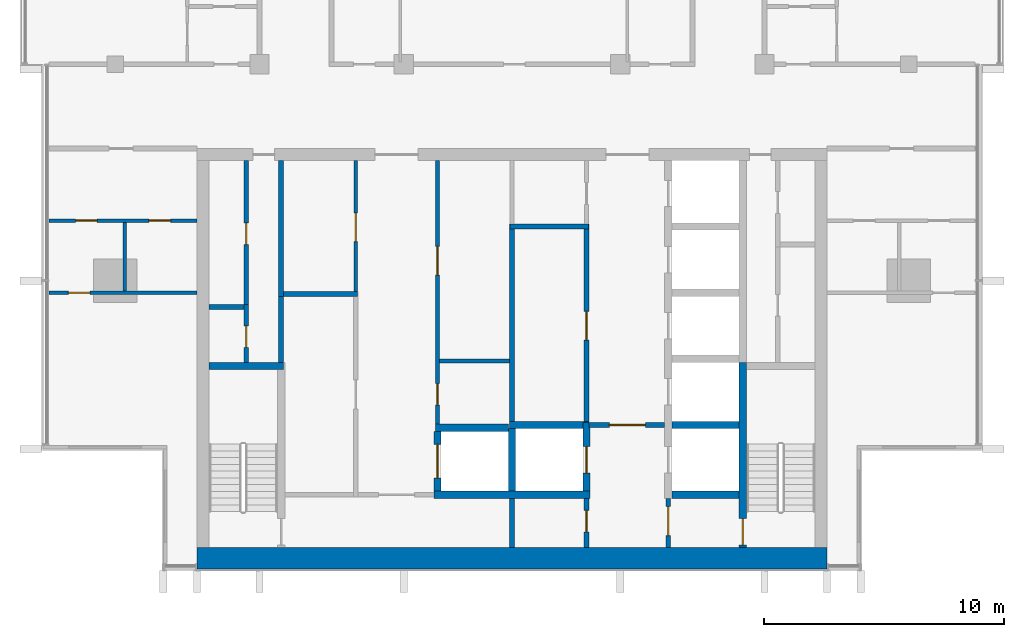
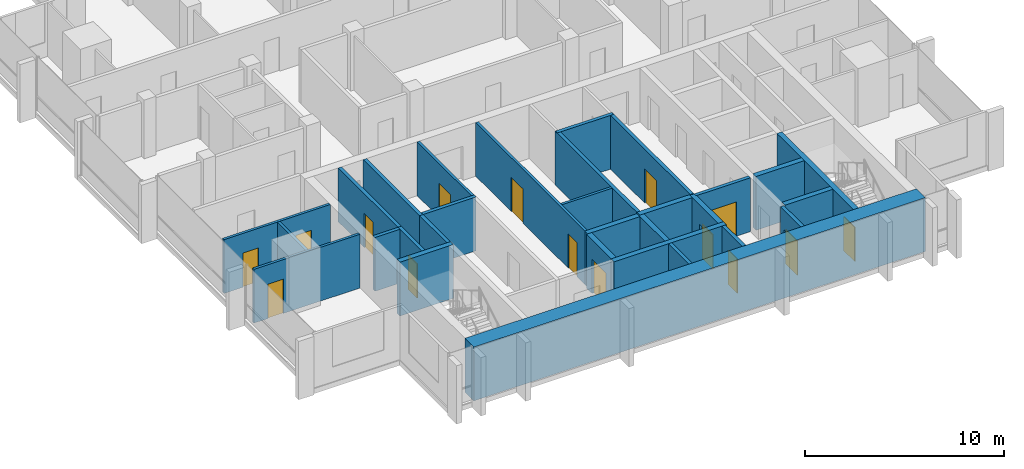
# One storey, part 7 of 15: 30 walls, 15 doors, 15 openings.
"""IFC4 building model written with IfcOpenShell, lengths in metres."""

from ifc_helpers import new_model, si_unit, direction, frame, frame_2d, origin, place, context, subcontext, project, spatial, rectangle, extrude, material, layer, layer_set, type_object, element, fill, save


model = new_model("IFC4")

# Units and contexts
model_context = context("Model", 3, precision=1e-05, world=origin(), true_north=direction((0.0, 1.0)))
body_context = subcontext(model_context, "Body", "Model", "MODEL_VIEW")
ifc_project = project(units=[si_unit("LENGTHUNIT", "METRE"), si_unit("AREAUNIT", "SQUARE_METRE"), si_unit("VOLUMEUNIT", "CUBIC_METRE"), si_unit("PLANEANGLEUNIT", "RADIAN"), si_unit("MASSUNIT", "GRAM", prefix="KILO")], contexts=[model_context])

# Site, building, storey
site_placement = place(None, origin())
site = spatial("IfcSite", under=ifc_project, at=site_placement, CompositionType="ELEMENT")
building_placement = place(site_placement, origin())
building = spatial("IfcBuilding", under=site, at=building_placement, Name="Finial Court Residences", CompositionType="ELEMENT")
storey_placement = place(building_placement, frame((0.0, 0.0, 273.5)))
storey = spatial("IfcBuildingStorey", under=building, at=storey_placement, Name="L69", CompositionType="ELEMENT", Elevation=273.5)

# Wall
ifc_material_1 = material(Name="Fire-rated gypsum board partition")
ifc_layer_1 = layer(ifc_material_1, 0.14990234375)
ifc_layer_set_1 = layer_set([ifc_layer_1], Name="Core room partition 150 EI 60")
wall_type_1 = type_object("IfcWallType", Name="Core room partition 150 EI 60", PredefinedType="PARTITIONING", material=ifc_layer_set_1)
wall_1_placement = place(storey_placement, frame((-3.02490234375, -16.840087890625, 0.0), z_axis=(0.0, 0.0, 1.0), x_axis=(1.0, 0.0, 0.0)))
element("IfcWall", 1, at=wall_1_placement, inside=storey, type_object=wall_type_1, Name="Core partition L69-11", PredefinedType="PARTITIONING", context=body_context, shape_type="SweptSolid", body=[
    extrude(rectangle(XDim=2.9248046875, YDim=0.14990234375, at=frame_2d((1.46240234375, 0.0))), origin(), (0.0, 0.0, 1.0), 3.300048828125),
])

# Wall, opening, door
wall_2_placement = place(storey_placement, frame((-6.5, -13.9599609375, 0.0), z_axis=(0.0, 0.0, 1.0), x_axis=(0.0, 1.0, 0.0)))
wall_2 = element("IfcWall", 2, at=wall_2_placement, inside=storey, type_object=wall_type_1, Name="Core partition L69-25", PredefinedType="PARTITIONING", context=body_context, shape_type="SweptSolid", body=[
    extrude(rectangle(XDim=5.4599609375, YDim=0.14990234375, at=frame_2d((2.72998046875, 0.0))), origin(), (0.0, 0.0, 1.0), 3.300048828125),
])
opening_1_placement = place(wall_2_placement, frame((2.080078125, 0.0, 0.0)))
opening_1 = element("IfcOpeningElement", 3, at=opening_1_placement, cuts=wall_2, Name="Opening L69-C15", PredefinedType="OPENING", context=body_context, shape_type="SweptSolid", body=[
    extrude(rectangle(XDim=1.199951171875, YDim=2.10009765625, at=frame_2d((0.60009765625, 1.050048828125))), frame((0.0, 0.0849609375, 0.0), z_axis=(0.0, -1.0, 0.0), x_axis=(1.0, 0.0, 0.0)), (0.0, 0.0, 1.0), 0.169921875),
])
ifc_material_2 = material(Name="Steel fire door", Category="steel")
door_type_1 = type_object("IfcDoorType", Name="Core room door 1200 x 2100 EI 60", OperationType="NOTDEFINED", PredefinedType="DOOR", material=ifc_material_2)
door_1_placement = place(opening_1_placement, origin())
door_1 = element("IfcDoor", 4, at=door_1_placement, inside=storey, type_object=door_type_1, Name="Core room door L69-C15", OperationType="SINGLE_SWING_RIGHT", OverallHeight=2.10009765625, OverallWidth=1.199951171875, PredefinedType="DOOR", context=body_context, shape_type="SweptSolid", body=[
    extrude(rectangle(XDim=1.199951171875, YDim=2.10009765625, at=frame_2d((0.60009765625, 1.050048828125))), frame((0.0, 0.02490234375, 0.0), z_axis=(0.0, -1.0, 0.0), x_axis=(1.0, 0.0, 0.0)), (0.0, 0.0, 1.0), 0.050048828125),
])
fill(opening_1, door_1)

# Wall, openings, doors
wall_3_placement = place(storey_placement, frame((-3.10009765625, -8.5, 0.0), z_axis=(0.0, 0.0, 1.0), x_axis=(0.0, -1.0, 0.0)))
wall_3 = element("IfcWall", 5, at=wall_3_placement, inside=storey, type_object=wall_type_1, Name="Core partition L69-27", PredefinedType="PARTITIONING", context=body_context, shape_type="SweptSolid", body=[
    extrude(rectangle(XDim=10.969970703125, YDim=0.14990234375, at=frame_2d((5.48486328125, 0.0))), origin(), (0.0, 0.0, 1.0), 3.300048828125),
])
opening_2_placement = place(wall_3_placement, frame((9.280029296875, 0.0, 0.0)))
opening_2 = element("IfcOpeningElement", 6, at=opening_2_placement, cuts=wall_3, Name="Opening L69-C16", PredefinedType="OPENING", context=body_context, shape_type="SweptSolid", body=[
    extrude(rectangle(XDim=0.89990234375, YDim=2.10009765625, at=frame_2d((0.449951171875, 1.050048828125))), frame((0.0, 0.0849609375, 0.0), z_axis=(0.0, -1.0, 0.0), x_axis=(1.0, 0.0, 0.0)), (0.0, 0.0, 1.0), 0.169921875),
])
opening_3_placement = place(wall_3_placement, frame((3.570068359375, 0.0, 0.0)))
opening_3 = element("IfcOpeningElement", 7, at=opening_3_placement, cuts=wall_3, Name="Opening L69-C17", PredefinedType="OPENING", context=body_context, shape_type="SweptSolid", body=[
    extrude(rectangle(XDim=1.199951171875, YDim=2.10009765625, at=frame_2d((0.60009765625, 1.050048828125))), frame((0.0, 0.0849609375, 0.0), z_axis=(0.0, -1.0, 0.0), x_axis=(1.0, 0.0, 0.0)), (0.0, 0.0, 1.0), 0.169921875),
])
door_2_placement = place(opening_3_placement, origin())
door_2 = element("IfcDoor", 8, at=door_2_placement, inside=storey, type_object=door_type_1, Name="Core room door L69-C17", OperationType="SINGLE_SWING_RIGHT", OverallHeight=2.10009765625, OverallWidth=1.199951171875, PredefinedType="DOOR", context=body_context, shape_type="SweptSolid", body=[
    extrude(rectangle(XDim=1.199951171875, YDim=2.10009765625, at=frame_2d((0.60009765625, 1.050048828125))), frame((0.0, 0.02490234375, 0.0), z_axis=(0.0, -1.0, 0.0), x_axis=(1.0, 0.0, 0.0)), (0.0, 0.0, 1.0), 0.050048828125),
])
fill(opening_3, door_2)
door_type_2 = type_object("IfcDoorType", Name="Core room door 900 x 2100 EI 60", OperationType="NOTDEFINED", PredefinedType="DOOR", material=ifc_material_2)
door_3_placement = place(opening_2_placement, origin())
door_3 = element("IfcDoor", 9, at=door_3_placement, inside=storey, type_object=door_type_2, Name="Core room door L69-C16", OperationType="SINGLE_SWING_RIGHT", OverallHeight=2.10009765625, OverallWidth=0.89990234375, PredefinedType="DOOR", context=body_context, shape_type="SweptSolid", body=[
    extrude(rectangle(XDim=0.89990234375, YDim=2.10009765625, at=frame_2d((0.449951171875, 1.050048828125))), frame((0.0, 0.02490234375, 0.0), z_axis=(0.0, -1.0, 0.0), x_axis=(1.0, 0.0, 0.0)), (0.0, 0.0, 1.0), 0.050048828125),
])
fill(opening_2, door_3)

# Wall
ifc_material_3 = material(Name="Concrete C50/60", Category="concrete")
ifc_layer_2 = layer(ifc_material_3, 0.89990234375)
ifc_layer_set_2 = layer_set([ifc_layer_2], Name="Core south facade wall 900 Concrete C50/60")
wall_type_2 = type_object("IfcWallType", Name="Core south facade wall 900 Concrete C50/60", PredefinedType="SHEAR", material=ifc_layer_set_2)
wall_4_placement = place(storey_placement, frame((-13.10009765625, -25.050048828125, 0.0), z_axis=(0.0, 0.0, 1.0), x_axis=(1.0, 0.0, 0.0)))
element("IfcWall", 10, at=wall_4_placement, inside=storey, type_object=wall_type_2, Name="Core outer wall L69-01", PredefinedType="SHEAR", context=body_context, shape_type="SweptSolid", body=[
    extrude(rectangle(XDim=26.2001953125, YDim=0.89990234375, at=frame_2d((13.10009765625, 0.0))), origin(), (0.0, 0.0, 1.0), 3.300048828125),
])

# Wall, opening, door
ifc_layer_3 = layer(ifc_material_1, 0.199951171875)
ifc_layer_set_3 = layer_set([ifc_layer_3], Name="Firefighting lobby wall 200 EI 120")
wall_type_3 = type_object("IfcWallType", Name="Firefighting lobby wall 200 EI 120", PredefinedType="PARTITIONING", material=ifc_layer_set_3)
wall_5_placement = place(storey_placement, frame((6.35009765625, -19.5, 0.0), z_axis=(0.0, 0.0, 1.0), x_axis=(-1.0, 0.0, 0.0)))
wall_5 = element("IfcWall", 11, at=wall_5_placement, inside=storey, type_object=wall_type_3, Name="Core partition L69-07", PredefinedType="PARTITIONING", context=body_context, shape_type="SweptSolid", body=[
    extrude(rectangle(XDim=3.150146484375, YDim=0.199951171875, at=frame_2d((1.5751953125, 0.0))), origin(), (0.0, 0.0, 1.0), 3.300048828125),
])
opening_4_placement = place(wall_5_placement, frame((0.800048828125, 0.0, 0.0)))
opening_4 = element("IfcOpeningElement", 12, at=opening_4_placement, cuts=wall_5, Name="Opening L69-C02", PredefinedType="OPENING", context=body_context, shape_type="SweptSolid", body=[
    extrude(rectangle(XDim=1.5, YDim=2.10009765625, at=frame_2d((0.75, 1.050048828125))), frame((0.0, 0.10986328125, 0.0), z_axis=(0.0, -1.0, 0.0), x_axis=(1.0, 0.0, 0.0)), (0.0, 0.0, 1.0), 0.219970703125),
])
door_type_3 = type_object("IfcDoorType", Name="Firefighting lobby door 1500 x 2100 EI 90", OperationType="DOUBLE_DOOR_SINGLE_SWING", PredefinedType="DOOR", material=ifc_material_2)
door_4_placement = place(opening_4_placement, origin())
door_4 = element("IfcDoor", 13, at=door_4_placement, inside=storey, type_object=door_type_3, Name="Firefighting lobby door L69-C02", OperationType="DOUBLE_DOOR_SINGLE_SWING", OverallHeight=2.10009765625, OverallWidth=1.5, PredefinedType="DOOR", context=body_context, shape_type="SweptSolid", body=[
    extrude(rectangle(XDim=1.5, YDim=2.10009765625, at=frame_2d((0.75, 1.050048828125))), frame((0.0, 0.02490234375, 0.0), z_axis=(0.0, -1.0, 0.0), x_axis=(1.0, 0.0, 0.0)), (0.0, 0.0, 1.0), 0.050048828125),
])
fill(opening_4, door_4)

wall_6_placement = place(storey_placement, frame((3.10009765625, -24.60009765625, 0.0), z_axis=(0.0, 0.0, 1.0), x_axis=(0.0, 1.0, 0.0)))
wall_6 = element("IfcWall", 14, at=wall_6_placement, inside=storey, type_object=wall_type_3, Name="Core partition L69-32", PredefinedType="PARTITIONING", context=body_context, shape_type="SweptSolid", body=[
    extrude(rectangle(XDim=2.050048828125, YDim=0.199951171875, at=frame_2d((1.02490234375, 0.0))), origin(), (0.0, 0.0, 1.0), 3.300048828125),
])
opening_5_placement = place(wall_6_placement, frame((0.64990234375, 0.0, 0.0)))
opening_5 = element("IfcOpeningElement", 15, at=opening_5_placement, cuts=wall_6, Name="Opening L69-C06", PredefinedType="OPENING", context=body_context, shape_type="SweptSolid", body=[
    extrude(rectangle(XDim=0.89990234375, YDim=2.10009765625, at=frame_2d((0.449951171875, 1.050048828125))), frame((0.0, 0.10986328125, 0.0), z_axis=(0.0, -1.0, 0.0), x_axis=(1.0, 0.0, 0.0)), (0.0, 0.0, 1.0), 0.219970703125),
])
door_type_4 = type_object("IfcDoorType", Name="Riser room door 900 x 2100 EI 90", OperationType="NOTDEFINED", PredefinedType="DOOR", material=ifc_material_2)
door_5_placement = place(opening_5_placement, origin())
door_5 = element("IfcDoor", 16, at=door_5_placement, inside=storey, type_object=door_type_4, Name="Riser room door L69-C06", OperationType="SINGLE_SWING_LEFT", OverallHeight=2.10009765625, OverallWidth=0.89990234375, PredefinedType="DOOR", context=body_context, shape_type="SweptSolid", body=[
    extrude(rectangle(XDim=0.89990234375, YDim=2.10009765625, at=frame_2d((0.449951171875, 1.050048828125))), frame((0.0, 0.02490234375, 0.0), z_axis=(0.0, -1.0, 0.0), x_axis=(1.0, 0.0, 0.0)), (0.0, 0.0, 1.0), 0.050048828125),
])
fill(opening_5, door_5)

wall_7_placement = place(storey_placement, frame((6.5, -22.550048828125, 0.0), z_axis=(0.0, 0.0, 1.0), x_axis=(0.0, -1.0, 0.0)))
wall_7 = element("IfcWall", 17, at=wall_7_placement, inside=storey, type_object=wall_type_3, Name="Core partition L69-36", PredefinedType="PARTITIONING", context=body_context, shape_type="SweptSolid", body=[
    extrude(rectangle(XDim=2.050048828125, YDim=0.199951171875, at=frame_2d((1.02490234375, 0.0))), origin(), (0.0, 0.0, 1.0), 3.300048828125),
])
opening_6_placement = place(wall_7_placement, frame((0.35009765625, 0.0, 0.0)))
opening_6 = element("IfcOpeningElement", 18, at=opening_6_placement, cuts=wall_7, Name="Opening L69-C01", PredefinedType="OPENING", context=body_context, shape_type="SweptSolid", body=[
    extrude(rectangle(XDim=1.199951171875, YDim=2.10009765625, at=frame_2d((0.60009765625, 1.050048828125))), frame((0.0, 0.10986328125, 0.0), z_axis=(0.0, -1.0, 0.0), x_axis=(1.0, 0.0, 0.0)), (0.0, 0.0, 1.0), 0.219970703125),
])
door_type_5 = type_object("IfcDoorType", Name="Firefighting lobby door 1200 x 2100 EI 90", OperationType="NOTDEFINED", PredefinedType="DOOR", material=ifc_material_2)
door_6_placement = place(opening_6_placement, origin())
door_6 = element("IfcDoor", 19, at=door_6_placement, inside=storey, type_object=door_type_5, Name="Firefighting lobby door L69-C01", OperationType="SINGLE_SWING_RIGHT", OverallHeight=2.10009765625, OverallWidth=1.199951171875, PredefinedType="DOOR", context=body_context, shape_type="SweptSolid", body=[
    extrude(rectangle(XDim=1.199951171875, YDim=2.10009765625, at=frame_2d((0.60009765625, 1.050048828125))), frame((0.0, 0.02490234375, 0.0), z_axis=(0.0, -1.0, 0.0), x_axis=(1.0, 0.0, 0.0)), (0.0, 0.0, 1.0), 0.050048828125),
])
fill(opening_6, door_6)

ifc_material_4 = material(Name="Moisture-resistant gypsum board")
ifc_layer_4 = layer(ifc_material_4, 0.012451171875)
ifc_material_5 = material(Name="Mineral wool in light-gauge frame")
ifc_layer_5 = layer(ifc_material_5, 0.125)
ifc_layer_6 = layer(ifc_material_4, 0.012451171875)
ifc_layer_set_4 = layer_set([ifc_layer_4, ifc_layer_5, ifc_layer_6], Name="Gypsum board wet-area partition 150")
wall_type_4 = type_object("IfcWallType", Name="Gypsum board wet-area partition 150", PredefinedType="PARTITIONING", material=ifc_layer_set_4)
wall_8_placement = place(storey_placement, frame((-19.262451171875, -14.0, 0.0), z_axis=(0.0, 0.0, 1.0), x_axis=(1.0, 0.0, 0.0)))
wall_8 = element("IfcWall", 20, at=wall_8_placement, inside=storey, type_object=wall_type_4, Name="Partition L69-000", PredefinedType="PARTITIONING", context=body_context, shape_type="SweptSolid", body=[
    extrude(rectangle(XDim=6.162353515625, YDim=0.14990234375, at=frame_2d((3.0810546875, 0.0))), origin(), (0.0, 0.0, 1.0), 3.300048828125),
])
opening_7_placement = place(wall_8_placement, frame((0.81201171875, 0.0, 0.0)))
opening_7 = element("IfcOpeningElement", 21, at=opening_7_placement, cuts=wall_8, Name="Opening L69-D001", PredefinedType="OPENING", context=body_context, shape_type="SweptSolid", body=[
    extrude(rectangle(XDim=0.89990234375, YDim=2.10009765625, at=frame_2d((0.449951171875, 1.050048828125))), frame((0.0, 0.0849609375, 0.0), z_axis=(0.0, -1.0, 0.0), x_axis=(1.0, 0.0, 0.0)), (0.0, 0.0, 1.0), 0.169921875),
])
ifc_material_6 = material(Name="Timber door leaf in timber frame", Category="wood")
door_type_6 = type_object("IfcDoorType", Name="Door set 900 x 2100", OperationType="SINGLE_SWING_LEFT", PredefinedType="DOOR", material=ifc_material_6)
door_7_placement = place(opening_7_placement, origin())
door_7 = element("IfcDoor", 22, at=door_7_placement, inside=storey, type_object=door_type_6, Name="Door L69-D001", OperationType="SINGLE_SWING_LEFT", OverallHeight=2.10009765625, OverallWidth=0.89990234375, PredefinedType="DOOR", context=body_context, shape_type="SweptSolid", body=[
    extrude(rectangle(XDim=0.89990234375, YDim=2.10009765625, at=frame_2d((0.449951171875, 1.050048828125))), frame((0.0, 0.02490234375, 0.0), z_axis=(0.0, -1.0, 0.0), x_axis=(1.0, 0.0, 0.0)), (0.0, 0.0, 1.0), 0.050048828125),
])
fill(opening_7, door_7)

# Wall, openings, doors
wall_9_placement = place(storey_placement, frame((-19.262451171875, -11.0, 0.0), z_axis=(0.0, 0.0, 1.0), x_axis=(1.0, 0.0, 0.0)))
wall_9 = element("IfcWall", 23, at=wall_9_placement, inside=storey, type_object=wall_type_4, Name="Partition L69-002", PredefinedType="PARTITIONING", context=body_context, shape_type="SweptSolid", body=[
    extrude(rectangle(XDim=6.162353515625, YDim=0.14990234375, at=frame_2d((3.0810546875, 0.0))), origin(), (0.0, 0.0, 1.0), 3.300048828125),
])
opening_8_placement = place(wall_9_placement, frame((1.113037109375, 0.0, 0.0)))
opening_8 = element("IfcOpeningElement", 24, at=opening_8_placement, cuts=wall_9, Name="Opening L69-D003", PredefinedType="OPENING", context=body_context, shape_type="SweptSolid", body=[
    extrude(rectangle(XDim=0.89990234375, YDim=2.10009765625, at=frame_2d((0.449951171875, 1.050048828125))), frame((0.0, 0.0849609375, 0.0), z_axis=(0.0, -1.0, 0.0), x_axis=(1.0, 0.0, 0.0)), (0.0, 0.0, 1.0), 0.169921875),
])
opening_9_placement = place(wall_9_placement, frame((4.162109375, 0.0, 0.0)))
opening_9 = element("IfcOpeningElement", 25, at=opening_9_placement, cuts=wall_9, Name="Opening L69-D004", PredefinedType="OPENING", context=body_context, shape_type="SweptSolid", body=[
    extrude(rectangle(XDim=0.89990234375, YDim=2.10009765625, at=frame_2d((0.449951171875, 1.050048828125))), frame((0.0, 0.0849609375, 0.0), z_axis=(0.0, -1.0, 0.0), x_axis=(1.0, 0.0, 0.0)), (0.0, 0.0, 1.0), 0.169921875),
])
door_8_placement = place(opening_8_placement, origin())
door_8 = element("IfcDoor", 26, at=door_8_placement, inside=storey, type_object=door_type_6, Name="Door L69-D003", OperationType="SINGLE_SWING_LEFT", OverallHeight=2.10009765625, OverallWidth=0.89990234375, PredefinedType="DOOR", context=body_context, shape_type="SweptSolid", body=[
    extrude(rectangle(XDim=0.89990234375, YDim=2.10009765625, at=frame_2d((0.449951171875, 1.050048828125))), frame((0.0, 0.02490234375, 0.0), z_axis=(0.0, -1.0, 0.0), x_axis=(1.0, 0.0, 0.0)), (0.0, 0.0, 1.0), 0.050048828125),
])
fill(opening_8, door_8)
door_9_placement = place(opening_9_placement, origin())
door_9 = element("IfcDoor", 27, at=door_9_placement, inside=storey, type_object=door_type_6, Name="Door L69-D004", OperationType="SINGLE_SWING_RIGHT", OverallHeight=2.10009765625, OverallWidth=0.89990234375, PredefinedType="DOOR", context=body_context, shape_type="SweptSolid", body=[
    extrude(rectangle(XDim=0.89990234375, YDim=2.10009765625, at=frame_2d((0.449951171875, 1.050048828125))), frame((0.0, 0.02490234375, 0.0), z_axis=(0.0, -1.0, 0.0), x_axis=(1.0, 0.0, 0.0)), (0.0, 0.0, 1.0), 0.050048828125),
])
fill(opening_9, door_9)

# Walls
wall_10_placement = place(storey_placement, frame((-16.10009765625, -13.925048828125, 0.0), z_axis=(0.0, 0.0, 1.0), x_axis=(0.0, 1.0, 0.0)))
element("IfcWall", 28, at=wall_10_placement, inside=storey, type_object=wall_type_4, Name="Partition L69-018", PredefinedType="PARTITIONING", context=body_context, shape_type="SweptSolid", body=[
    extrude(rectangle(XDim=2.85009765625, YDim=0.14990234375, at=frame_2d((1.425048828125, 0.0))), origin(), (0.0, 0.0, 1.0), 3.300048828125),
])
ifc_layer_7 = layer(ifc_material_3, 0.300048828125)
ifc_layer_set_5 = layer_set([ifc_layer_7], Name="Lift shaft and stair wall 300 Concrete C50/60")
wall_type_5 = type_object("IfcWallType", Name="Lift shaft and stair wall 300 Concrete C50/60", PredefinedType="SHEAR", material=ifc_layer_set_5)
wall_11_placement = place(storey_placement, frame((-3.25, -22.39990234375, 0.0), z_axis=(0.0, 0.0, 1.0), x_axis=(1.0, 0.0, 0.0)))
element("IfcWall", 29, at=wall_11_placement, inside=storey, type_object=wall_type_5, Name="Core wall L69-03", PredefinedType="SHEAR", context=body_context, shape_type="SweptSolid", body=[
    extrude(rectangle(XDim=6.5, YDim=0.300048828125, at=frame_2d((3.25, 0.0))), origin(), (0.0, 0.0, 1.0), 3.300048828125),
])
wall_12_placement = place(storey_placement, frame((6.64990234375, -22.39990234375, 0.0), z_axis=(0.0, 0.0, 1.0), x_axis=(1.0, 0.0, 0.0)))
element("IfcWall", 30, at=wall_12_placement, inside=storey, type_object=wall_type_5, Name="Core wall L69-04", PredefinedType="SHEAR", context=body_context, shape_type="SweptSolid", body=[
    extrude(rectangle(XDim=2.800048828125, YDim=0.300048828125, at=frame_2d((1.39990234375, 0.0))), origin(), (0.0, 0.0, 1.0), 3.300048828125),
])
wall_13_placement = place(storey_placement, frame((-3.175048828125, -19.6201171875, 0.0), z_axis=(0.0, 0.0, 1.0), x_axis=(1.0, 0.0, 0.0)))
element("IfcWall", 31, at=wall_13_placement, inside=storey, type_object=wall_type_5, Name="Core wall L69-05", PredefinedType="SHEAR", context=body_context, shape_type="SweptSolid", body=[
    extrude(rectangle(XDim=3.025146484375, YDim=0.300048828125, at=frame_2d((1.5126953125, 0.0))), origin(), (0.0, 0.0, 1.0), 3.300048828125),
])
wall_14_placement = place(storey_placement, frame((-0.10009765625, -19.5, 0.0), z_axis=(0.0, 0.0, 1.0), x_axis=(1.0, 0.0, 0.0)))
element("IfcWall", 32, at=wall_14_placement, inside=storey, type_object=wall_type_5, Name="Core wall L69-06", PredefinedType="SHEAR", context=body_context, shape_type="SweptSolid", body=[
    extrude(rectangle(XDim=3.300048828125, YDim=0.300048828125, at=frame_2d((1.64990234375, 0.0))), origin(), (0.0, 0.0, 1.0), 3.300048828125),
])
wall_15_placement = place(storey_placement, frame((6.64990234375, -19.5, 0.0), z_axis=(0.0, 0.0, 1.0), x_axis=(1.0, 0.0, 0.0)))
element("IfcWall", 33, at=wall_15_placement, inside=storey, type_object=wall_type_5, Name="Core wall L69-08", PredefinedType="SHEAR", context=body_context, shape_type="SweptSolid", body=[
    extrude(rectangle(XDim=2.800048828125, YDim=0.300048828125, at=frame_2d((1.39990234375, 0.0))), origin(), (0.0, 0.0, 1.0), 3.300048828125),
])
wall_16_placement = place(storey_placement, frame((-12.60009765625, -17.050048828125, 0.0), z_axis=(0.0, 0.0, 1.0), x_axis=(1.0, 0.0, 0.0)))
element("IfcWall", 34, at=wall_16_placement, inside=storey, type_object=wall_type_5, Name="Core wall L69-09", PredefinedType="SHEAR", context=body_context, shape_type="SweptSolid", body=[
    extrude(rectangle(XDim=3.10009765625, YDim=0.300048828125, at=frame_2d((1.550048828125, 0.0))), origin(), (0.0, 0.0, 1.0), 3.300048828125),
])

# Wall, opening, door
wall_17_placement = place(storey_placement, frame((-3.10009765625, -22.25, 0.0), z_axis=(0.0, 0.0, 1.0), x_axis=(0.0, 1.0, 0.0)))
wall_17 = element("IfcWall", 35, at=wall_17_placement, inside=storey, type_object=wall_type_5, Name="Core wall L69-26", PredefinedType="SHEAR", context=body_context, shape_type="SweptSolid", body=[
    extrude(rectangle(XDim=2.47998046875, YDim=0.300048828125, at=frame_2d((1.239990234375, 0.0))), origin(), (0.0, 0.0, 1.0), 3.300048828125),
])
opening_10_placement = place(wall_17_placement, frame((0.5400390625, 0.0, 0.0)))
opening_10 = element("IfcOpeningElement", 36, at=opening_10_placement, cuts=wall_17, Name="Opening L69-LD07", PredefinedType="OPENING", context=body_context, shape_type="SweptSolid", body=[
    extrude(rectangle(XDim=1.39990234375, YDim=2.10009765625, at=frame_2d((0.699951171875, 1.050048828125))), frame((0.0, 0.159912109375, 0.0), z_axis=(0.0, -1.0, 0.0), x_axis=(1.0, 0.0, 0.0)), (0.0, 0.0, 1.0), 0.320068359375),
])
ifc_material_7 = material(Name="Stainless steel lift door", Category="steel")
door_type_7 = type_object("IfcDoorType", Name="Lift landing door 1400 x 2100 EI 90", OperationType="DOUBLE_DOOR_SLIDING", PredefinedType="DOOR", material=ifc_material_7)
door_10_placement = place(opening_10_placement, origin())
door_10 = element("IfcDoor", 37, at=door_10_placement, inside=storey, type_object=door_type_7, Name="Lift landing door SV1 L69", OperationType="DOUBLE_DOOR_SLIDING", OverallHeight=2.10009765625, OverallWidth=1.39990234375, PredefinedType="DOOR", context=body_context, shape_type="SweptSolid", body=[
    extrude(rectangle(XDim=1.39990234375, YDim=2.10009765625, at=frame_2d((0.699951171875, 1.050048828125))), frame((0.0, 0.02490234375, 0.0), z_axis=(0.0, -1.0, 0.0), x_axis=(1.0, 0.0, 0.0)), (0.0, 0.0, 1.0), 0.050048828125),
])
fill(opening_10, door_10)

# Wall
wall_18_placement = place(storey_placement, frame((0.0, -22.25, 0.0), z_axis=(0.0, 0.0, 1.0), x_axis=(0.0, 1.0, 0.0)))
element("IfcWall", 38, at=wall_18_placement, inside=storey, type_object=wall_type_5, Name="Core wall L69-29", PredefinedType="SHEAR", context=body_context, shape_type="SweptSolid", body=[
    extrude(rectangle(XDim=2.60009765625, YDim=0.300048828125, at=frame_2d((1.300048828125, 0.0))), origin(), (0.0, 0.0, 1.0), 3.300048828125),
])

# Wall, opening, door
wall_19_placement = place(storey_placement, frame((3.10009765625, -22.25, 0.0), z_axis=(0.0, 0.0, 1.0), x_axis=(0.0, 1.0, 0.0)))
wall_19 = element("IfcWall", 39, at=wall_19_placement, inside=storey, type_object=wall_type_5, Name="Core wall L69-33", PredefinedType="SHEAR", context=body_context, shape_type="SweptSolid", body=[
    extrude(rectangle(XDim=2.85009765625, YDim=0.300048828125, at=frame_2d((1.425048828125, 0.0))), origin(), (0.0, 0.0, 1.0), 3.300048828125),
])
opening_11_placement = place(wall_19_placement, frame((0.75, 0.0, 0.0)))
opening_11 = element("IfcOpeningElement", 40, at=opening_11_placement, cuts=wall_19, Name="Opening L69-LD01", PredefinedType="OPENING", context=body_context, shape_type="SweptSolid", body=[
    extrude(rectangle(XDim=1.10009765625, YDim=2.10009765625, at=frame_2d((0.550048828125, 1.050048828125))), frame((0.0, 0.159912109375, 0.0), z_axis=(0.0, -1.0, 0.0), x_axis=(1.0, 0.0, 0.0)), (0.0, 0.0, 1.0), 0.320068359375),
])
door_type_8 = type_object("IfcDoorType", Name="Lift landing door 1100 x 2100 EI 90", OperationType="DOUBLE_DOOR_SLIDING", PredefinedType="DOOR", material=ifc_material_7)
door_11_placement = place(opening_11_placement, origin())
door_11 = element("IfcDoor", 41, at=door_11_placement, inside=storey, type_object=door_type_8, Name="Lift landing door FF1 L69", OperationType="DOUBLE_DOOR_SLIDING", OverallHeight=2.10009765625, OverallWidth=1.10009765625, PredefinedType="DOOR", context=body_context, shape_type="SweptSolid", body=[
    extrude(rectangle(XDim=1.10009765625, YDim=2.10009765625, at=frame_2d((0.550048828125, 1.050048828125))), frame((0.0, 0.02490234375, 0.0), z_axis=(0.0, -1.0, 0.0), x_axis=(1.0, 0.0, 0.0)), (0.0, 0.0, 1.0), 0.050048828125),
])
fill(opening_11, door_11)

wall_20_placement = place(storey_placement, frame((9.60009765625, -16.89990234375, 0.0), z_axis=(0.0, 0.0, 1.0), x_axis=(0.0, -1.0, 0.0)))
wall_20 = element("IfcWall", 42, at=wall_20_placement, inside=storey, type_object=wall_type_5, Name="Core wall L69-38", PredefinedType="SHEAR", context=body_context, shape_type="SweptSolid", body=[
    extrude(rectangle(XDim=7.7001953125, YDim=0.300048828125, at=frame_2d((3.85009765625, 0.0))), origin(), (0.0, 0.0, 1.0), 3.300048828125),
])
opening_12_placement = place(wall_20_placement, frame((6.5, 0.0, 0.0)))
opening_12 = element("IfcOpeningElement", 43, at=opening_12_placement, cuts=wall_20, Name="Opening L69-C20", PredefinedType="OPENING", context=body_context, shape_type="SweptSolid", body=[
    extrude(rectangle(XDim=1.10009765625, YDim=2.10009765625, at=frame_2d((0.550048828125, 1.050048828125))), frame((0.0, 0.159912109375, 0.0), z_axis=(0.0, -1.0, 0.0), x_axis=(1.0, 0.0, 0.0)), (0.0, 0.0, 1.0), 0.320068359375),
])
door_type_9 = type_object("IfcDoorType", Name="Stair door 1100 x 2100 EI 90", OperationType="NOTDEFINED", PredefinedType="DOOR", material=ifc_material_2)
door_12_placement = place(opening_12_placement, origin())
door_12 = element("IfcDoor", 44, at=door_12_placement, inside=storey, type_object=door_type_9, Name="Stair door L69-C20", OperationType="SINGLE_SWING_RIGHT", OverallHeight=2.10009765625, OverallWidth=1.10009765625, PredefinedType="DOOR", context=body_context, shape_type="SweptSolid", body=[
    extrude(rectangle(XDim=1.10009765625, YDim=2.10009765625, at=frame_2d((0.550048828125, 1.050048828125))), frame((0.0, 0.02490234375, 0.0), z_axis=(0.0, -1.0, 0.0), x_axis=(1.0, 0.0, 0.0)), (0.0, 0.0, 1.0), 0.050048828125),
])
fill(opening_12, door_12)

# Walls
ifc_layer_8 = layer(ifc_material_1, 0.199951171875)
ifc_layer_set_6 = layer_set([ifc_layer_8], Name="Riser room wall 200 EI 120")
wall_type_6 = type_object("IfcWallType", Name="Riser room wall 200 EI 120", PredefinedType="PARTITIONING", material=ifc_layer_set_6)
wall_21_placement = place(storey_placement, frame((-12.60009765625, -14.60009765625, 0.0), z_axis=(0.0, 0.0, 1.0), x_axis=(1.0, 0.0, 0.0)))
element("IfcWall", 45, at=wall_21_placement, inside=storey, type_object=wall_type_6, Name="Core partition L69-13", PredefinedType="PARTITIONING", context=body_context, shape_type="SweptSolid", body=[
    extrude(rectangle(XDim=1.4501953125, YDim=0.199951171875, at=frame_2d((0.72509765625, 0.0))), origin(), (0.0, 0.0, 1.0), 3.300048828125),
])
wall_22_placement = place(storey_placement, frame((-9.5, -14.06005859375, 0.0), z_axis=(0.0, 0.0, 1.0), x_axis=(1.0, 0.0, 0.0)))
element("IfcWall", 46, at=wall_22_placement, inside=storey, type_object=wall_type_6, Name="Core partition L69-14", PredefinedType="PARTITIONING", context=body_context, shape_type="SweptSolid", body=[
    extrude(rectangle(XDim=3.074951171875, YDim=0.199951171875, at=frame_2d((1.53759765625, 0.0))), origin(), (0.0, 0.0, 1.0), 3.300048828125),
])
wall_23_placement = place(storey_placement, frame((-0.074951171875, -11.25, 0.0), z_axis=(0.0, 0.0, 1.0), x_axis=(1.0, 0.0, 0.0)))
element("IfcWall", 47, at=wall_23_placement, inside=storey, type_object=wall_type_6, Name="Core partition L69-17", PredefinedType="PARTITIONING", context=body_context, shape_type="SweptSolid", body=[
    extrude(rectangle(XDim=3.25, YDim=0.199951171875, at=frame_2d((1.625, 0.0))), origin(), (0.0, 0.0, 1.0), 3.300048828125),
])

# Wall, opening, door
wall_24_placement = place(storey_placement, frame((-11.050048828125, -14.699951171875, 0.0), z_axis=(0.0, 0.0, 1.0), x_axis=(0.0, 1.0, 0.0)))
wall_24 = element("IfcWall", 48, at=wall_24_placement, inside=storey, type_object=wall_type_6, Name="Core partition L69-20", PredefinedType="PARTITIONING", context=body_context, shape_type="SweptSolid", body=[
    extrude(rectangle(XDim=6.199951171875, YDim=0.199951171875, at=frame_2d((3.10009765625, 0.0))), origin(), (0.0, 0.0, 1.0), 3.300048828125),
])
opening_13_placement = place(wall_24_placement, frame((2.699951171875, 0.0, 0.0)))
opening_13 = element("IfcOpeningElement", 49, at=opening_13_placement, cuts=wall_24, Name="Opening L69-C07", PredefinedType="OPENING", context=body_context, shape_type="SweptSolid", body=[
    extrude(rectangle(XDim=0.89990234375, YDim=2.10009765625, at=frame_2d((0.449951171875, 1.050048828125))), frame((0.0, 0.10986328125, 0.0), z_axis=(0.0, -1.0, 0.0), x_axis=(1.0, 0.0, 0.0)), (0.0, 0.0, 1.0), 0.219970703125),
])
door_13_placement = place(opening_13_placement, origin())
door_13 = element("IfcDoor", 50, at=door_13_placement, inside=storey, type_object=door_type_4, Name="Riser room door L69-C07", OperationType="SINGLE_SWING_LEFT", OverallHeight=2.10009765625, OverallWidth=0.89990234375, PredefinedType="DOOR", context=body_context, shape_type="SweptSolid", body=[
    extrude(rectangle(XDim=0.89990234375, YDim=2.10009765625, at=frame_2d((0.449951171875, 1.050048828125))), frame((0.0, 0.02490234375, 0.0), z_axis=(0.0, -1.0, 0.0), x_axis=(1.0, 0.0, 0.0)), (0.0, 0.0, 1.0), 0.050048828125),
])
fill(opening_13, door_13)

# Walls
wall_25_placement = place(storey_placement, frame((-9.60009765625, -16.89990234375, 0.0), z_axis=(0.0, 0.0, 1.0), x_axis=(0.0, 1.0, 0.0)))
element("IfcWall", 51, at=wall_25_placement, inside=storey, type_object=wall_type_6, Name="Core partition L69-22", PredefinedType="PARTITIONING", context=body_context, shape_type="SweptSolid", body=[
    extrude(rectangle(XDim=2.739990234375, YDim=0.199951171875, at=frame_2d((1.3701171875, 0.0))), origin(), (0.0, 0.0, 1.0), 3.300048828125),
])
wall_26_placement = place(storey_placement, frame((0.0, -24.60009765625, 0.0), z_axis=(0.0, 0.0, 1.0), x_axis=(0.0, 1.0, 0.0)))
element("IfcWall", 52, at=wall_26_placement, inside=storey, type_object=wall_type_6, Name="Core partition L69-28", PredefinedType="PARTITIONING", context=body_context, shape_type="SweptSolid", body=[
    extrude(rectangle(XDim=2.050048828125, YDim=0.199951171875, at=frame_2d((1.02490234375, 0.0))), origin(), (0.0, 0.0, 1.0), 3.300048828125),
])
wall_27_placement = place(storey_placement, frame((0.0, -19.35009765625, 0.0), z_axis=(0.0, 0.0, 1.0), x_axis=(0.0, 1.0, 0.0)))
element("IfcWall", 53, at=wall_27_placement, inside=storey, type_object=wall_type_6, Name="Core partition L69-30", PredefinedType="PARTITIONING", context=body_context, shape_type="SweptSolid", body=[
    extrude(rectangle(XDim=8.2001953125, YDim=0.199951171875, at=frame_2d((4.10009765625, 0.0))), origin(), (0.0, 0.0, 1.0), 3.300048828125),
])

# Wall, opening, door
wall_28_placement = place(storey_placement, frame((3.10009765625, -19.60009765625, 0.0), z_axis=(0.0, 0.0, 1.0), x_axis=(0.0, 1.0, 0.0)))
wall_28 = element("IfcWall", 54, at=wall_28_placement, inside=storey, type_object=wall_type_6, Name="Core partition L69-34", PredefinedType="PARTITIONING", context=body_context, shape_type="SweptSolid", body=[
    extrude(rectangle(XDim=8.4501953125, YDim=0.199951171875, at=frame_2d((4.22509765625, 0.0))), origin(), (0.0, 0.0, 1.0), 3.300048828125),
])
opening_14_placement = place(wall_28_placement, frame((3.625, 0.0, 0.0)))
opening_14 = element("IfcOpeningElement", 55, at=opening_14_placement, cuts=wall_28, Name="Opening L69-C10", PredefinedType="OPENING", context=body_context, shape_type="SweptSolid", body=[
    extrude(rectangle(XDim=1.199951171875, YDim=2.10009765625, at=frame_2d((0.60009765625, 1.050048828125))), frame((0.0, 0.10986328125, 0.0), z_axis=(0.0, -1.0, 0.0), x_axis=(1.0, 0.0, 0.0)), (0.0, 0.0, 1.0), 0.219970703125),
])
door_type_10 = type_object("IfcDoorType", Name="Riser room door 1200 x 2100 EI 90", OperationType="NOTDEFINED", PredefinedType="DOOR", material=ifc_material_2)
door_14_placement = place(opening_14_placement, origin())
door_14 = element("IfcDoor", 56, at=door_14_placement, inside=storey, type_object=door_type_10, Name="Riser room door L69-C10", OperationType="SINGLE_SWING_LEFT", OverallHeight=2.10009765625, OverallWidth=1.199951171875, PredefinedType="DOOR", context=body_context, shape_type="SweptSolid", body=[
    extrude(rectangle(XDim=1.199951171875, YDim=2.10009765625, at=frame_2d((0.60009765625, 1.050048828125))), frame((0.0, 0.02490234375, 0.0), z_axis=(0.0, -1.0, 0.0), x_axis=(1.0, 0.0, 0.0)), (0.0, 0.0, 1.0), 0.050048828125),
])
fill(opening_14, door_14)

ifc_layer_9 = layer(ifc_material_1, 0.199951171875)
ifc_layer_set_7 = layer_set([ifc_layer_9], Name="Stair passage wall 200 EI 180")
wall_type_7 = type_object("IfcWallType", Name="Stair passage wall 200 EI 180", PredefinedType="PARTITIONING", material=ifc_layer_set_7)
wall_29_placement = place(storey_placement, frame((-11.050048828125, -16.89990234375, 0.0), z_axis=(0.0, 0.0, 1.0), x_axis=(0.0, 1.0, 0.0)))
wall_29 = element("IfcWall", 57, at=wall_29_placement, inside=storey, type_object=wall_type_7, Name="Core partition L69-19", PredefinedType="PARTITIONING", context=body_context, shape_type="SweptSolid", body=[
    extrude(rectangle(XDim=2.39990234375, YDim=0.199951171875, at=frame_2d((1.199951171875, 0.0))), origin(), (0.0, 0.0, 1.0), 3.300048828125),
])
opening_15_placement = place(wall_29_placement, frame((0.625, 0.0, 0.0)))
opening_15 = element("IfcOpeningElement", 58, at=opening_15_placement, cuts=wall_29, Name="Opening L69-C13", PredefinedType="OPENING", context=body_context, shape_type="SweptSolid", body=[
    extrude(rectangle(XDim=0.89990234375, YDim=2.10009765625, at=frame_2d((0.449951171875, 1.050048828125))), frame((0.0, 0.10986328125, 0.0), z_axis=(0.0, -1.0, 0.0), x_axis=(1.0, 0.0, 0.0)), (0.0, 0.0, 1.0), 0.219970703125),
])
door_15_placement = place(opening_15_placement, origin())
door_15 = element("IfcDoor", 59, at=door_15_placement, inside=storey, type_object=door_type_2, Name="Core room door L69-C13", OperationType="SINGLE_SWING_RIGHT", OverallHeight=2.10009765625, OverallWidth=0.89990234375, PredefinedType="DOOR", context=body_context, shape_type="SweptSolid", body=[
    extrude(rectangle(XDim=0.89990234375, YDim=2.10009765625, at=frame_2d((0.449951171875, 1.050048828125))), frame((0.0, 0.02490234375, 0.0), z_axis=(0.0, -1.0, 0.0), x_axis=(1.0, 0.0, 0.0)), (0.0, 0.0, 1.0), 0.050048828125),
])
fill(opening_15, door_15)

# Wall
wall_30_placement = place(storey_placement, frame((-9.60009765625, -14.159912109375, 0.0), z_axis=(0.0, 0.0, 1.0), x_axis=(0.0, 1.0, 0.0)))
element("IfcWall", 60, at=wall_30_placement, inside=storey, type_object=wall_type_7, Name="Core partition L69-23", PredefinedType="PARTITIONING", context=body_context, shape_type="SweptSolid", body=[
    extrude(rectangle(XDim=5.659912109375, YDim=0.199951171875, at=frame_2d((2.830078125, 0.0))), origin(), (0.0, 0.0, 1.0), 3.300048828125),
])

save(model, "model.ifc")
